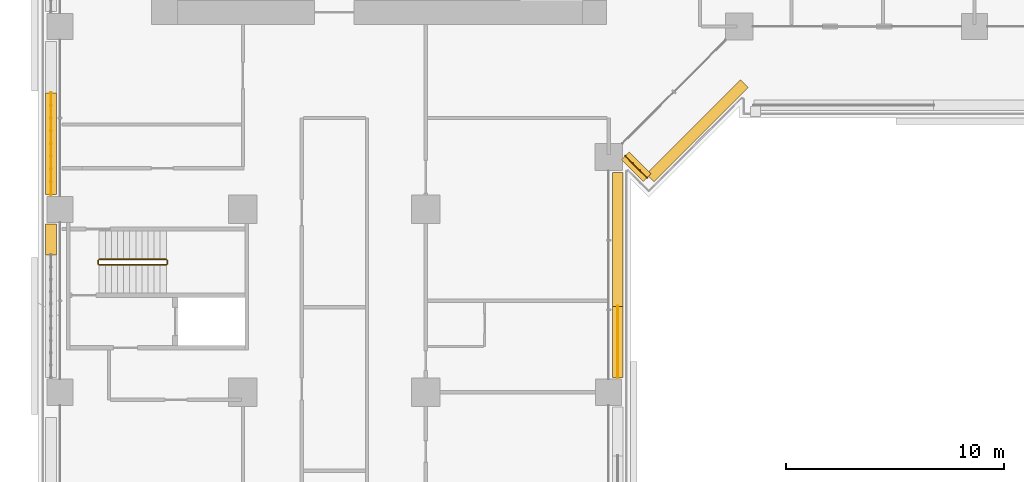
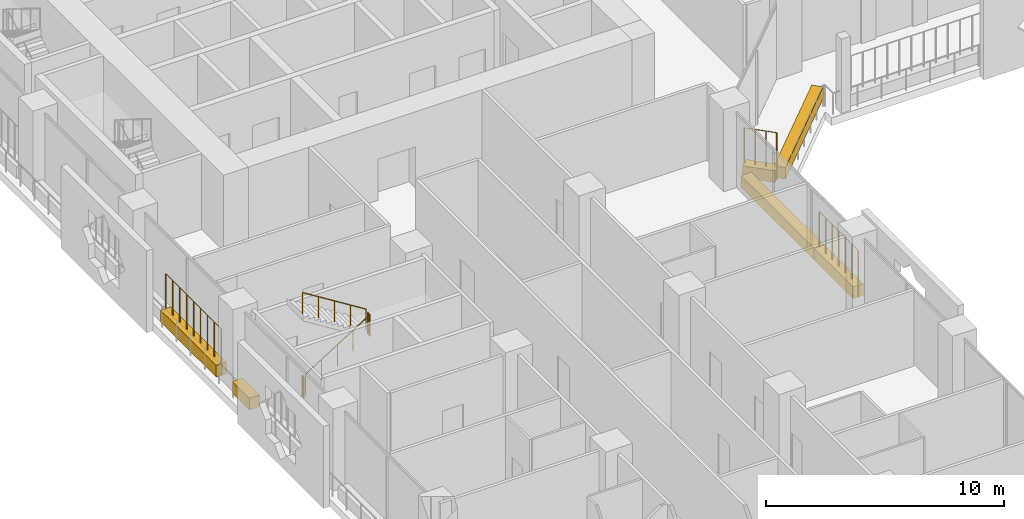
# One storey, part 22 of 28: 7 railings, 6 coverings.
"""IFC4 building model written with IfcOpenShell, lengths in metres."""

from ifc_helpers import new_model, si_unit, direction, frame, origin, origin_2d, place, context, subcontext, project, spatial, rectangle, circle, extrude, material, material_profile, profile_set, type_object, element, save


model = new_model("IFC4")

# Units and contexts
model_context = context("Model", 3, precision=1e-05, world=origin(), true_north=direction((0.0, 1.0)))
body_context = subcontext(model_context, "Body", "Model", "MODEL_VIEW")
ifc_project = project(units=[si_unit("LENGTHUNIT", "METRE"), si_unit("AREAUNIT", "SQUARE_METRE"), si_unit("VOLUMEUNIT", "CUBIC_METRE"), si_unit("PLANEANGLEUNIT", "RADIAN"), si_unit("MASSUNIT", "GRAM", prefix="KILO")], contexts=[model_context])

# Site, building, storey
site_placement = place(None, origin())
site = spatial("IfcSite", under=ifc_project, at=site_placement, CompositionType="ELEMENT")
building_placement = place(site_placement, origin())
building = spatial("IfcBuilding", under=site, at=building_placement, Name="Kawkab Arch Medical Tower", CompositionType="ELEMENT")
storey_placement = place(building_placement, frame((0.0, 0.0, 56.0)))
storey = spatial("IfcBuildingStorey", under=building, at=storey_placement, Name="L12", CompositionType="ELEMENT", Elevation=56.0)

# Coverings
ifc_material_1 = material(Name="Planting soil in a precast trough", Category="concrete")
ifc_material_profile = material_profile(ifc_material_1, rectangle(XDim=0.5, YDim=0.60009765625, at=origin_2d()), Name="Trough 500x600")
ifc_profile_set = profile_set([ifc_material_profile], Name="Planting soil in a precast trough")
covering_type = type_object("IfcCoveringType", Name="Planter trough 500 x 600", PredefinedType="USERDEFINED", material=ifc_profile_set)
covering_1_placement = place(storey_placement, frame((-0.419921875, -35.699951171875, 0.300048828125), z_axis=(0.0, 1.0, 0.0), x_axis=(-1.0, 0.0, 0.0)))
element("IfcCovering", 1, at=covering_1_placement, inside=storey, type_object=covering_type, Name="Planter L12.LOG-01-01.10", ObjectType="PLANTER", PredefinedType="USERDEFINED", context=body_context, shape_type="SweptSolid", body=[
    extrude(rectangle(XDim=0.5, YDim=0.60009765625, at=origin_2d()), origin(), (0.0, 0.0, 1.0), 1.419921875),
])
covering_2_placement = place(storey_placement, frame((-0.419921875, -32.919921875, 0.300048828125), z_axis=(0.0, 1.0, 0.0), x_axis=(-1.0, 0.0, 0.0)))
element("IfcCovering", 2, at=covering_2_placement, inside=storey, type_object=covering_type, Name="Planter L12.LOG-01-01.11", ObjectType="PLANTER", PredefinedType="USERDEFINED", context=body_context, shape_type="SweptSolid", body=[
    extrude(rectangle(XDim=0.5, YDim=0.60009765625, at=origin_2d()), origin(), (0.0, 0.0, 1.0), 4.676025390625),
])
covering_3_placement = place(storey_placement, frame((31.43701171875, -27.820068359375, 0.300048828125), z_axis=(-0.707206504313, -0.707007043994, 0.0), x_axis=(0.707007043994, -0.707206504313, 0.0)))
element("IfcCovering", 3, at=covering_3_placement, inside=storey, type_object=covering_type, Name="Planter L12.LOG-01-01.42", ObjectType="PLANTER", PredefinedType="USERDEFINED", context=body_context, shape_type="SweptSolid", body=[
    extrude(rectangle(XDim=0.5, YDim=0.60009765625, at=origin_2d()), origin(), (0.0, 0.0, 1.0), 6.1201171875),
])
covering_4_placement = place(storey_placement, frame((26.967041015625, -32.14697265625, 0.300048828125), z_axis=(-0.707192746389, 0.707020805532, 0.0), x_axis=(-0.707020805532, -0.707192746389, 0.0)))
element("IfcCovering", 4, at=covering_4_placement, inside=storey, type_object=covering_type, Name="Planter L12.LOG-01-01.43", ObjectType="PLANTER", PredefinedType="USERDEFINED", context=body_context, shape_type="SweptSolid", body=[
    extrude(rectangle(XDim=0.5, YDim=0.60009765625, at=origin_2d()), origin(), (0.0, 0.0, 1.0), 1.419921875),
])
covering_5_placement = place(storey_placement, frame((25.6201171875, -31.905029296875, 0.300048828125), z_axis=(0.0, -1.0, 0.0), x_axis=(1.0, 0.0, 0.0)))
element("IfcCovering", 5, at=covering_5_placement, inside=storey, type_object=covering_type, Name="Planter L12.LOG-01-01.44", ObjectType="PLANTER", PredefinedType="USERDEFINED", context=body_context, shape_type="SweptSolid", body=[
    extrude(rectangle(XDim=0.5, YDim=0.60009765625, at=origin_2d()), origin(), (0.0, 0.0, 1.0), 6.14794921875),
])
covering_6_placement = place(storey_placement, frame((25.6201171875, -38.052978515625, 0.300048828125), z_axis=(0.0, -1.0, 0.0), x_axis=(1.0, 0.0, 0.0)))
element("IfcCovering", 6, at=covering_6_placement, inside=storey, type_object=covering_type, Name="Planter L12.LOG-01-01.45", ObjectType="PLANTER", PredefinedType="USERDEFINED", context=body_context, shape_type="SweptSolid", body=[
    extrude(rectangle(XDim=0.5, YDim=0.60009765625, at=origin_2d()), origin(), (0.0, 0.0, 1.0), 3.26708984375),
])

# Railings
ifc_material_2 = material(Name="Bronze anodised aluminium trellis for climbing plants", Category="aluminium")
railing_type_1 = type_object("IfcRailingType", Name="Planting trellis 2400", PredefinedType="USERDEFINED", material=ifc_material_2)
railing_1_placement = place(storey_placement, frame((-0.419921875, -32.919921875, 0.0)))
element("IfcRailing", 7, at=railing_1_placement, inside=storey, type_object=railing_type_1, Name="Planting trellis L12.LOG-01-01.11", ObjectType="TRELLIS", PredefinedType="USERDEFINED", context=body_context, shape_type="SweptSolid", body=[
    extrude(circle(Radius=0.01513671875, at=origin_2d()), frame((0.0, 0.0, 2.384765625), z_axis=(0.0, 1.0, 0.0), x_axis=(-1.0, 0.0, 0.0)), (0.0, 0.0, 1.0), 4.676025390625),
    extrude(circle(Radius=0.030029296875, at=origin_2d()), origin(), (0.0, 0.0, 1.0), 2.369873046875),
    extrude(circle(Radius=0.030029296875, at=origin_2d()), frame((0.0, 0.58447265625, 0.0)), (0.0, 0.0, 1.0), 2.369873046875),
    extrude(circle(Radius=0.030029296875, at=origin_2d()), frame((0.0, 1.1689453125, 0.0)), (0.0, 0.0, 1.0), 2.369873046875),
    extrude(circle(Radius=0.030029296875, at=origin_2d()), frame((0.0, 1.75341796875, 0.0)), (0.0, 0.0, 1.0), 2.369873046875),
    extrude(circle(Radius=0.030029296875, at=origin_2d()), frame((0.0, 2.337890625, 0.0)), (0.0, 0.0, 1.0), 2.369873046875),
    extrude(circle(Radius=0.030029296875, at=origin_2d()), frame((0.0, 2.922607421875, 0.0)), (0.0, 0.0, 1.0), 2.369873046875),
    extrude(circle(Radius=0.030029296875, at=origin_2d()), frame((0.0, 3.507080078125, 0.0)), (0.0, 0.0, 1.0), 2.369873046875),
    extrude(circle(Radius=0.030029296875, at=origin_2d()), frame((0.0, 4.091552734375, 0.0)), (0.0, 0.0, 1.0), 2.369873046875),
    extrude(circle(Radius=0.030029296875, at=origin_2d()), frame((0.0, 4.676025390625, 0.0)), (0.0, 0.0, 1.0), 2.369873046875),
])
railing_2_placement = place(storey_placement, frame((26.967041015625, -32.14697265625, 0.0)))
element("IfcRailing", 8, at=railing_2_placement, inside=storey, type_object=railing_type_1, Name="Planting trellis L12.LOG-01-01.43", ObjectType="TRELLIS", PredefinedType="USERDEFINED", context=body_context, shape_type="SweptSolid", body=[
    extrude(circle(Radius=0.01513671875, at=origin_2d()), frame((0.0, 0.0, 2.384765625), z_axis=(-0.707192746389, 0.707020805532, 0.0), x_axis=(-0.707020805532, -0.707192746389, 0.0)), (0.0, 0.0, 1.0), 1.419921875),
    extrude(circle(Radius=0.030029296875, at=origin_2d()), origin(), (0.0, 0.0, 1.0), 2.369873046875),
    extrude(circle(Radius=0.030029296875, at=origin_2d()), frame((-0.334716796875, 0.334716796875, 0.0)), (0.0, 0.0, 1.0), 2.369873046875),
    extrude(circle(Radius=0.030029296875, at=origin_2d()), frame((-0.66943359375, 0.669189453125, 0.0)), (0.0, 0.0, 1.0), 2.369873046875),
    extrude(circle(Radius=0.030029296875, at=origin_2d()), frame((-1.004150390625, 1.00390625, 0.0)), (0.0, 0.0, 1.0), 2.369873046875),
])
railing_3_placement = place(storey_placement, frame((25.6201171875, -38.052978515625, 0.0)))
element("IfcRailing", 9, at=railing_3_placement, inside=storey, type_object=railing_type_1, Name="Planting trellis L12.LOG-01-01.45", ObjectType="TRELLIS", PredefinedType="USERDEFINED", context=body_context, shape_type="SweptSolid", body=[
    extrude(circle(Radius=0.01513671875, at=origin_2d()), frame((0.0, 0.0, 2.384765625), z_axis=(0.0, -1.0, 0.0), x_axis=(1.0, 0.0, 0.0)), (0.0, 0.0, 1.0), 3.26708984375),
    extrude(circle(Radius=0.030029296875, at=origin_2d()), origin(), (0.0, 0.0, 1.0), 2.369873046875),
    extrude(circle(Radius=0.030029296875, at=origin_2d()), frame((0.0, -0.54443359375, 0.0)), (0.0, 0.0, 1.0), 2.369873046875),
    extrude(circle(Radius=0.030029296875, at=origin_2d()), frame((0.0, -1.089111328125, 0.0)), (0.0, 0.0, 1.0), 2.369873046875),
    extrude(circle(Radius=0.030029296875, at=origin_2d()), frame((0.0, -1.633544921875, 0.0)), (0.0, 0.0, 1.0), 2.369873046875),
    extrude(circle(Radius=0.030029296875, at=origin_2d()), frame((0.0, -2.177978515625, 0.0)), (0.0, 0.0, 1.0), 2.369873046875),
    extrude(circle(Radius=0.030029296875, at=origin_2d()), frame((0.0, -2.72265625, 0.0)), (0.0, 0.0, 1.0), 2.369873046875),
    extrude(circle(Radius=0.030029296875, at=origin_2d()), frame((0.0, -3.26708984375, 0.0)), (0.0, 0.0, 1.0), 2.369873046875),
])
ifc_material_3 = material(Name="Stainless steel", Category="steel")
railing_type_2 = type_object("IfcRailingType", Name="Stair guard 1100", PredefinedType="GUARDRAIL", material=ifc_material_3)
railing_4_placement = place(storey_placement, frame((1.800048828125, -36.14990234375, 0.175048828125)))
element("IfcRailing", 10, at=railing_4_placement, inside=storey, type_object=railing_type_2, Name="L12 ST6 stair guard 1", PredefinedType="GUARDRAIL", context=body_context, shape_type="SweptSolid", body=[
    extrude(circle(Radius=0.02392578125, at=origin_2d()), frame((0.0, 0.0, 1.076171875), z_axis=(0.847979421464, 0.0, 0.530029150871), x_axis=(0.0, 1.0, 0.0)), (0.0, 0.0, 1.0), 3.632080078125),
    extrude(circle(Radius=0.02099609375, at=origin_2d()), origin(), (0.0, 0.0, 1.0), 1.052001953125),
    extrude(circle(Radius=0.02099609375, at=origin_2d()), frame((0.77001953125, 0.0, 0.481201171875)), (0.0, 0.0, 1.0), 1.052001953125),
    extrude(circle(Radius=0.02099609375, at=origin_2d()), frame((1.5400390625, 0.0, 0.96240234375)), (0.0, 0.0, 1.0), 1.052001953125),
    extrude(circle(Radius=0.02099609375, at=origin_2d()), frame((2.309814453125, 0.0, 1.44384765625)), (0.0, 0.0, 1.0), 1.052001953125),
    extrude(circle(Radius=0.02099609375, at=origin_2d()), frame((3.079833984375, 0.0, 1.925048828125)), (0.0, 0.0, 1.0), 1.052001953125),
])
railing_5_placement = place(storey_placement, frame((4.929931640625, -36.10009765625, 2.10009765625)))
element("IfcRailing", 11, at=railing_5_placement, inside=storey, type_object=railing_type_2, Name="L12 ST6 stair guard 2", PredefinedType="GUARDRAIL", context=body_context, shape_type="SweptSolid", body=[
    extrude(circle(Radius=0.02392578125, at=origin_2d()), frame((0.0, 0.0, 1.076171875), z_axis=(0.0, 1.0, 0.0), x_axis=(-1.0, 0.0, 0.0)), (0.0, 0.0, 1.0), 0.150146484375),
    extrude(circle(Radius=0.02099609375, at=origin_2d()), origin(), (0.0, 0.0, 1.0), 1.052001953125),
    extrude(circle(Radius=0.02099609375, at=origin_2d()), frame((0.0, 0.150146484375, 0.0)), (0.0, 0.0, 1.0), 1.052001953125),
])
railing_6_placement = place(storey_placement, frame((4.8798828125, -35.89990234375, 2.27490234375)))
element("IfcRailing", 12, at=railing_6_placement, inside=storey, type_object=railing_type_2, Name="L12 ST6 stair guard 3", PredefinedType="GUARDRAIL", context=body_context, shape_type="SweptSolid", body=[
    extrude(circle(Radius=0.02392578125, at=origin_2d()), frame((0.0, 0.0, 1.076171875), z_axis=(-0.847979421464, 0.0, 0.530029150871), x_axis=(0.0, -1.0, 0.0)), (0.0, 0.0, 1.0), 3.632080078125),
    extrude(circle(Radius=0.02099609375, at=origin_2d()), origin(), (0.0, 0.0, 1.0), 1.052001953125),
    extrude(circle(Radius=0.02099609375, at=origin_2d()), frame((-0.77001953125, 0.0, 0.481201171875)), (0.0, 0.0, 1.0), 1.052001953125),
    extrude(circle(Radius=0.02099609375, at=origin_2d()), frame((-1.5400390625, 0.0, 0.96240234375)), (0.0, 0.0, 1.0), 1.052001953125),
    extrude(circle(Radius=0.02099609375, at=origin_2d()), frame((-2.309814453125, 0.0, 1.44384765625)), (0.0, 0.0, 1.0), 1.052001953125),
    extrude(circle(Radius=0.02099609375, at=origin_2d()), frame((-3.079833984375, 0.0, 1.925048828125)), (0.0, 0.0, 1.0), 1.052001953125),
])
railing_7_placement = place(storey_placement, frame((1.75, -36.10009765625, 0.0)))
element("IfcRailing", 13, at=railing_7_placement, inside=storey, type_object=railing_type_2, Name="L12 ST6 stair guard 4", PredefinedType="GUARDRAIL", context=body_context, shape_type="SweptSolid", body=[
    extrude(circle(Radius=0.02392578125, at=origin_2d()), frame((0.0, 0.0, 1.076171875), z_axis=(0.0, 1.0, 0.0), x_axis=(-1.0, 0.0, 0.0)), (0.0, 0.0, 1.0), 0.150146484375),
    extrude(circle(Radius=0.02099609375, at=origin_2d()), origin(), (0.0, 0.0, 1.0), 1.052001953125),
    extrude(circle(Radius=0.02099609375, at=origin_2d()), frame((0.0, 0.150146484375, 0.0)), (0.0, 0.0, 1.0), 1.052001953125),
])

save(model, "model.ifc")
